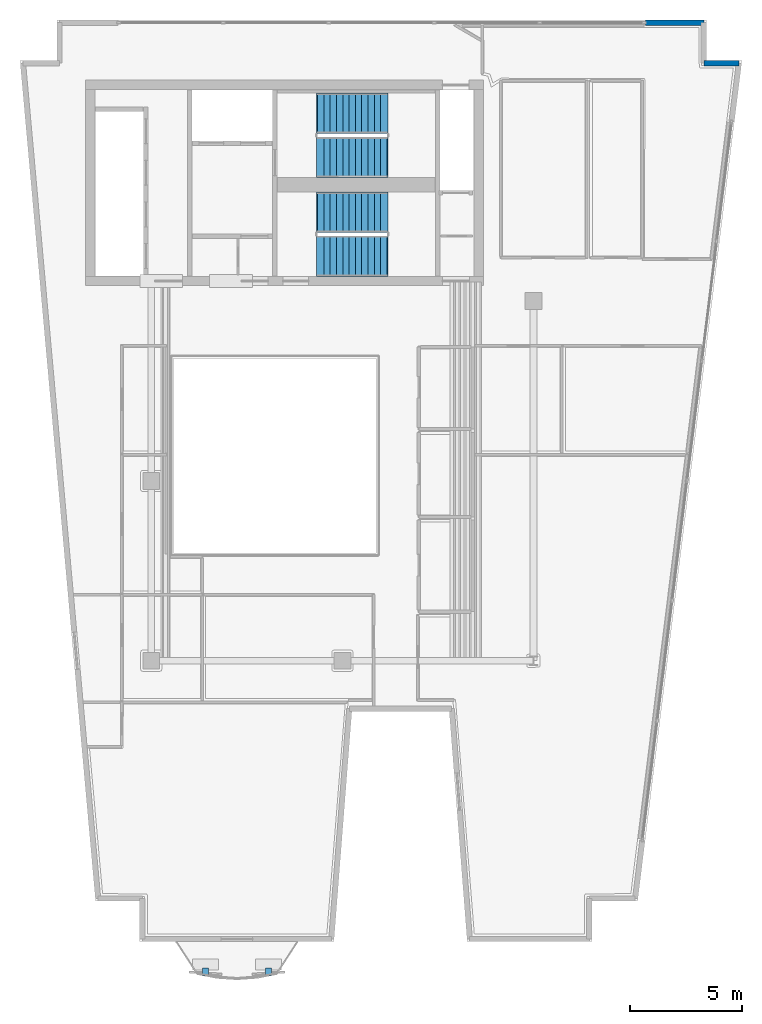
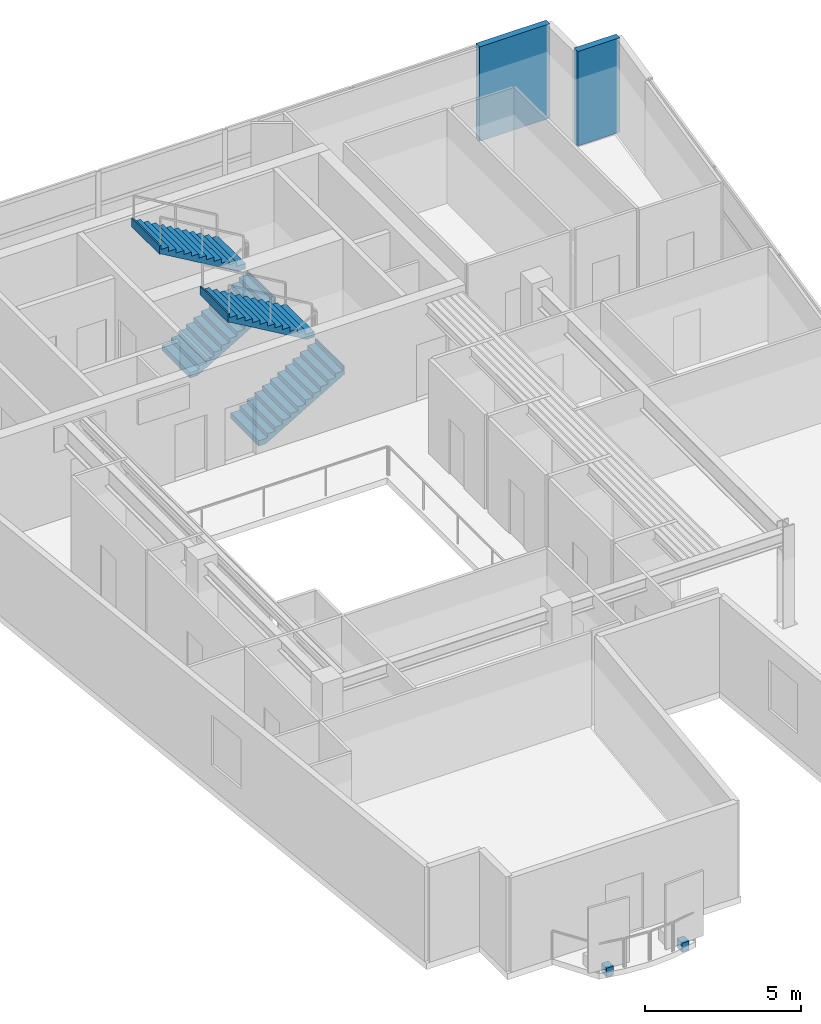
# One storey, part 6 of 8: 4 stair flights, 2 discrete accessories, 2 walls, 2 elements without a shape of their own.
"""IFC4 building model written with IfcOpenShell, lengths in metres."""

import ifcopenshell
import ifcopenshell.guid

model = None  # the IFC model being written
_history = None  # IfcOwnerHistory: only IFC2X3 demands one
_inside = {}  # id of a spatial element -> (the spatial element, [elements in it])
_under = {}  # id of a project, library or spatial element -> (it, [spatial elements below it])
_declared = {}  # id of a project -> (the project, [libraries it declares])
_typed = {}  # id of a type object -> (the type object, [elements of that type])
_made_of = {}  # id of a material, layer set ... -> (it, [elements and type objects made of it])


def new_model(schema):
    """Start an empty IFC model of exactly this schema.

    Asked for "IFC4X3", IfcOpenShell would pick the latest addendum, in which some entities
    have other attributes; the version numbers below select the first issue.
    IFC2X3 requires an IfcOwnerHistory on every rooted entity: one is made here for all.
    """
    global model, _history
    if schema == "IFC4X3":
        model = ifcopenshell.file(schema_version=(4, 3, 0, 0))
    else:
        model = ifcopenshell.file(schema=schema)
    _inside.clear()
    _under.clear()
    _declared.clear()
    _typed.clear()
    _made_of.clear()
    _history = None
    if model.schema == "IFC2X3":
        org = make("IfcOrganization", Name="unknown")
        user = make(
            "IfcPersonAndOrganization",
            ThePerson=make("IfcPerson", FamilyName="unknown"),
            TheOrganization=org,
        )
        app = make(
            "IfcApplication",
            ApplicationDeveloper=org,
            Version="unknown",
            ApplicationFullName="unknown",
            ApplicationIdentifier="unknown",
        )
        _history = make(
            "IfcOwnerHistory",
            OwningUser=user,
            OwningApplication=app,
            ChangeAction="ADDED",
            CreationDate=0,
        )
    return model


def make(cls, **values):
    """One entity of the class cls with the attributes given. An attribute that is None is left unset."""
    return model.create_entity(
        cls, **{name: value for name, value in values.items() if value is not None}
    )


def rooted(cls, **values):
    """An entity with a GlobalId (a new one), such as an element, a storey or a relation."""
    return make(cls, GlobalId=ifcopenshell.guid.new(), OwnerHistory=_history, **values)


def si_unit(unit_type, name, prefix=None):
    """IfcSIUnit, for example si_unit("LENGTHUNIT", "METRE", prefix="MILLI")."""
    return make("IfcSIUnit", UnitType=unit_type, Prefix=prefix, Name=name)


def assignment(units):
    """IfcUnitAssignment: the units of a project."""
    return None if units is None else make("IfcUnitAssignment", Units=units)


def point(xyz):
    """IfcCartesianPoint."""
    return None if xyz is None else make("IfcCartesianPoint", Coordinates=xyz)


def direction(xyz):
    """IfcDirection."""
    return None if xyz is None else make("IfcDirection", DirectionRatios=xyz)


def frame(location, z_axis=None, x_axis=None):
    """IfcAxis2Placement3D, a coordinate frame: its origin and axes. An axis left out is left unset."""
    return make(
        "IfcAxis2Placement3D",
        Location=point(location),
        Axis=direction(z_axis),
        RefDirection=direction(x_axis),
    )


def frame_2d(location, x_axis=None):
    """IfcAxis2Placement2D, a coordinate frame in the plane: its origin and x axis."""
    return make(
        "IfcAxis2Placement2D", Location=point(location), RefDirection=direction(x_axis)
    )


def origin():
    """The frame at (0, 0, 0) with its axes left unset."""
    return frame((0.0, 0.0, 0.0))


def origin_2d():
    """The frame at (0, 0) in the plane with its x axis left unset."""
    return frame_2d((0.0, 0.0))


def place(relative_to, where):
    """IfcLocalPlacement: puts the frame where relative to a parent placement (None: the world)."""
    return make(
        "IfcLocalPlacement", PlacementRelTo=relative_to, RelativePlacement=where
    )


def context(
    kind, dimensions, precision=None, world=None, true_north=None, identifier=None
):
    """IfcGeometricRepresentationContext, for example the 3D "Model" context."""
    return make(
        "IfcGeometricRepresentationContext",
        ContextIdentifier=identifier,
        ContextType=kind,
        CoordinateSpaceDimension=dimensions,
        Precision=precision,
        WorldCoordinateSystem=world,
        TrueNorth=true_north,
    )


def subcontext(parent, identifier, kind, view, scale=None):
    """IfcGeometricRepresentationSubContext, for example "Body" below "Model"."""
    return make(
        "IfcGeometricRepresentationSubContext",
        ContextIdentifier=identifier,
        ContextType=kind,
        ParentContext=parent,
        TargetScale=scale,
        TargetView=view,
    )


def project(units=None, contexts=None):
    """IfcProject with its units and contexts."""
    return rooted(
        "IfcProject",
        Name="project",
        RepresentationContexts=contexts,
        UnitsInContext=assignment(units),
    )


def spatial(cls, under=None, at=None, **own):
    """A site, building, storey or space (cls), placed at a placement, below another one or the project."""
    s = rooted(cls, ObjectPlacement=at, **own)
    if under is not None:
        _under.setdefault(under.id(), (under, []))[1].append(s)
    return s


def polyline(points):
    """IfcPolyline through the points."""
    return make("IfcPolyline", Points=[point(p) for p in points])


def profile(cls, at=None, kind="AREA", **sizes):
    """A parametric profile (cls). Its sizes go by their IFC names, for example OverallWidth=200.0."""
    return make(cls, ProfileType=kind, Position=at, **sizes)


def rectangle(**sizes):
    """IfcRectangleProfileDef."""
    return profile("IfcRectangleProfileDef", **sizes)


def outline(outer, holes=None, kind="AREA"):
    """IfcArbitraryClosedProfileDef: a profile drawn as a closed curve; with holes, ...WithVoids."""
    if holes is None:
        return make("IfcArbitraryClosedProfileDef", ProfileType=kind, OuterCurve=outer)
    return make(
        "IfcArbitraryProfileDefWithVoids",
        ProfileType=kind,
        OuterCurve=outer,
        InnerCurves=holes,
    )


def extrude(swept, where, along, depth):
    """IfcExtrudedAreaSolid: the profile swept, set in the frame where, extruded along a direction by depth."""
    return make(
        "IfcExtrudedAreaSolid",
        SweptArea=swept,
        Position=where,
        ExtrudedDirection=direction(along),
        Depth=depth,
    )


def shape(context_of_items, identifier, shape_type, items):
    """IfcShapeRepresentation: the items that make up one representation, for example the "Body"."""
    return make(
        "IfcShapeRepresentation",
        ContextOfItems=context_of_items,
        RepresentationIdentifier=identifier,
        RepresentationType=shape_type,
        Items=items,
    )


def material(Name=None, Category=None):
    """IfcMaterial."""
    return make("IfcMaterial", Name=Name, Category=Category)


def layer(
    of_material, thickness, ventilated=None, Name=None, Category=None, Priority=None
):
    """IfcMaterialLayer: one layer of a wall or slab, of a material (None: an air gap)."""
    return make(
        "IfcMaterialLayer",
        Material=of_material,
        LayerThickness=thickness,
        IsVentilated=ventilated,
        Name=Name,
        Category=Category,
        Priority=Priority,
    )


def layer_set(layers, Name=None):
    """IfcMaterialLayerSet."""
    return make("IfcMaterialLayerSet", MaterialLayers=layers, LayerSetName=Name)


def made_of(thing, what):
    """Note that an element or type object is made of a material, layer set ...; save() writes the relation."""
    if what is not None:
        _made_of.setdefault(what.id(), (what, []))[1].append(thing)
    return thing


def type_object(cls, material=None, **own):
    """A type object (cls), such as IfcWallType, which elements share."""
    return made_of(rooted(cls, **own), material)


def element(
    cls,
    number,
    at=None,
    inside=None,
    cuts=None,
    type_object=None,
    material=None,
    context=None,
    identifier="Body",
    shape_type=None,
    held_by="IfcProductDefinitionShape",
    body=None,
    shapes=None,
    **own,
):
    """One element of the class cls, such as IfcWall. Its Tag is "e" and its number.

    at: its placement. inside: the storey or other place that contains it. cuts: it is an
    opening in that element (IfcRelVoidsElement). A single representation is given by context,
    identifier, shape_type and body (its items); several are given by shapes. held_by: the class
    of the entity that holds the representations. save() writes the other relations.
    """
    e = rooted(cls, Tag="e%d" % number, ObjectPlacement=at, **own)
    if body is not None:
        shapes = [shape(context, identifier, shape_type, body)]
    if shapes is not None:
        e.Representation = make(held_by, Representations=shapes)
    if inside is not None:
        _inside.setdefault(inside.id(), (inside, []))[1].append(e)
    if cuts is not None:
        rooted(
            "IfcRelVoidsElement", RelatingBuildingElement=cuts, RelatedOpeningElement=e
        )
    if type_object is not None:
        _typed.setdefault(type_object.id(), (type_object, []))[1].append(e)
    return made_of(e, material)


def aggregate(whole, parts):
    """IfcRelAggregates: a whole, such as a stair, and the parts it consists of."""
    return rooted("IfcRelAggregates", RelatingObject=whole, RelatedObjects=parts)


def save(model, path):
    """Write the relations noted so far, then the file.

    IfcRelAggregates (storeys below a building ...), IfcRelContainedInSpatialStructure (elements
    in a storey), IfcRelDefinesByType, IfcRelAssociatesMaterial and IfcRelDeclares: one each for
    every whole, place, type object, material and project.
    """
    for whole, parts in _under.values():
        aggregate(whole, parts)
    for where, things in _inside.values():
        rooted(
            "IfcRelContainedInSpatialStructure",
            RelatedElements=things,
            RelatingStructure=where,
        )
    for kind, things in _typed.values():
        rooted("IfcRelDefinesByType", RelatedObjects=things, RelatingType=kind)
    for what, things in _made_of.values():
        rooted("IfcRelAssociatesMaterial", RelatedObjects=things, RelatingMaterial=what)
    for by, libraries in _declared.values():
        rooted("IfcRelDeclares", RelatingContext=by, RelatedDefinitions=libraries)
    model.write(path)


model = new_model("IFC4")

# Units and contexts
model_context = context("Model", 3, precision=1e-05, world=origin(), true_north=direction((0.0, 1.0)))
body_context = subcontext(model_context, "Body", "Model", "MODEL_VIEW")
ifc_project = project(units=[si_unit("LENGTHUNIT", "METRE"), si_unit("AREAUNIT", "SQUARE_METRE"), si_unit("VOLUMEUNIT", "CUBIC_METRE"), si_unit("PLANEANGLEUNIT", "RADIAN"), si_unit("MASSUNIT", "GRAM", prefix="KILO")], contexts=[model_context])

# Site, building, storey
site_placement = place(None, origin())
site = spatial("IfcSite", under=ifc_project, at=site_placement, CompositionType="ELEMENT")
building_placement = place(site_placement, origin())
building = spatial("IfcBuilding", under=site, at=building_placement, Name="Caeloran Harvest Quay", CompositionType="ELEMENT")
storey_placement = place(building_placement, frame((0.0, 0.0, 268.550048828125)))
storey = spatial("IfcBuildingStorey", under=building, at=storey_placement, Name="L64", CompositionType="ELEMENT", Elevation=268.550048828125)

# Walls
ifc_material_1 = material(Name="Precast concrete C50/60", Category="concrete")
ifc_layer = layer(ifc_material_1, 0.239990234375, Name="Precast concrete C50/60")
ifc_layer_set = layer_set([ifc_layer], Name="Precast concrete C50/60")
wall_type = type_object("IfcWallType", Name="ENV-WALL-EW-240", PredefinedType="STANDARD", material=ifc_layer_set)
wall_1_placement = place(storey_placement, frame((30.47998046875, 43.3798828125, 0.0), z_axis=(0.0, 0.0, 1.0), x_axis=(1.0, 0.0, 0.0)))
element("IfcWall", 1, at=wall_1_placement, inside=storey, type_object=wall_type, Name="L64 Exterior Facade Corner Pier Wall 6B", PredefinedType="STANDARD", context=body_context, shape_type="SweptSolid", body=[
    extrude(rectangle(XDim=2.60009765625, YDim=0.239990234375, at=frame_2d((1.300048828125, 0.0))), origin(), (0.0, 0.0, 1.0), 3.699951171875),
])
wall_2_placement = place(storey_placement, frame((33.080078125, 41.580078125, 0.0), z_axis=(0.0, 0.0, 1.0), x_axis=(1.0, 0.0, 0.0)))
element("IfcWall", 2, at=wall_2_placement, inside=storey, type_object=wall_type, Name="L64 Exterior Precast Concrete Facade Wall 8", PredefinedType="STANDARD", context=body_context, shape_type="SweptSolid", body=[
    extrude(rectangle(XDim=1.560791015625, YDim=0.239990234375, at=frame_2d((0.7802734375, 0.0))), origin(), (0.0, 0.0, 1.0), 3.699951171875),
])

# Stair, stair flights
ifc_material_2 = material(Name="Concrete C50/60", Category="concrete")
stair_type = type_object("IfcStairType", Name="STAIR-STC-180", PredefinedType="HALF_TURN_STAIR", material=ifc_material_2)
stair_1_placement = place(storey_placement, origin())
stair_1 = element("IfcStair", 3, at=stair_1_placement, inside=storey, type_object=stair_type, Name="L64 Core Pressurized Exit Stair ST-C1", PredefinedType="HALF_TURN_STAIR")
stair_flight_type = type_object("IfcStairFlightType", Name="FLIGHT-STC-180", PredefinedType="STRAIGHT", material=ifc_material_2)
stair_flight_1_placement = place(storey_placement, frame((15.89990234375, 37.39990234375, 0.0), z_axis=(0.0, 0.0, 1.0), x_axis=(1.0, 0.0, 0.0)))
stair_flight_1 = element("IfcStairFlight", 4, at=stair_flight_1_placement, type_object=stair_flight_type, Name="ST-C1 flight 1", NumberOfRisers=12, NumberOfTreads=11, PredefinedType="STRAIGHT", RiserHeight=0.164583333, TreadLength=0.28, context=body_context, shape_type="SweptSolid", body=[
    extrude(outline(polyline([(-0.054931640625, -0.044921875), (-0.054931640625, -0.031982421875), (-0.054931640625, -0.018798828125), (-0.054931640625, -0.005615234375), (-0.054931640625, 0.00732421875), (-0.054931640625, 0.0205078125), (-0.054931640625, 0.03369140625), (-0.054931640625, 0.046630859375), (-0.054931640625, 0.059814453125), (-0.054931640625, 0.072998046875), (-0.054931640625, 0.0859375), (-0.054931640625, 0.09912109375), (-0.054931640625, 0.1123046875), (-0.054931640625, 0.125244140625), (-0.054931640625, 0.138427734375), (-0.054931640625, 0.1513671875), (-0.054931640625, 0.16455078125), (0.280029296875, 0.16455078125), (0.280029296875, 0.3291015625), (0.56005859375, 0.3291015625), (0.56005859375, 0.49365234375), (0.840087890625, 0.49365234375), (0.840087890625, 0.658447265625), (1.1201171875, 0.658447265625), (1.1201171875, 0.822998046875), (1.39990234375, 0.822998046875), (1.39990234375, 0.987548828125), (1.679931640625, 0.987548828125), (1.679931640625, 1.152099609375), (1.9599609375, 1.152099609375), (1.9599609375, 1.316650390625), (2.239990234375, 1.316650390625), (2.239990234375, 1.481201171875), (2.52001953125, 1.481201171875), (2.52001953125, 1.645751953125), (2.800048828125, 1.645751953125), (2.800048828125, 1.810302734375), (3.080078125, 1.810302734375), (3.080078125, 1.97509765625), (3.135009765625, 1.97509765625), (3.135009765625, 1.953857421875), (3.135009765625, 1.9326171875), (3.135009765625, 1.91162109375), (3.135009765625, 1.890380859375), (3.135009765625, 1.869140625), (3.135009765625, 1.84814453125), (3.135009765625, 1.826904296875), (3.135009765625, 1.8056640625), (3.135009765625, 1.78466796875), (3.135009765625, 1.763427734375), (3.135009765625, 1.7421875), (3.135009765625, 1.72119140625), (3.135009765625, 1.699951171875), (3.135009765625, 1.678955078125), (3.135009765625, 1.65771484375), (3.135009765625, 1.636474609375), (3.080078125, 1.636474609375), (0.21923828125, -0.044921875), (-0.054931640625, -0.044921875)])), frame((0.0, 0.89990234375, 0.0), z_axis=(0.0, -1.0, 0.0), x_axis=(1.0, 0.0, 0.0)), (0.0, 0.0, 1.0), 1.800048828125),
])
stair_flight_2_placement = place(storey_placement, frame((18.97998046875, 39.35009765625, 1.974853515625), z_axis=(0.0, 0.0, 1.0), x_axis=(-1.0, 0.0, 0.0)))
stair_flight_2 = element("IfcStairFlight", 5, at=stair_flight_2_placement, type_object=stair_flight_type, Name="ST-C1 flight 2", NumberOfRisers=12, NumberOfTreads=11, PredefinedType="STRAIGHT", RiserHeight=0.164583333, TreadLength=0.28, context=body_context, shape_type="SweptSolid", body=[
    extrude(outline(polyline([(-0.054931640625, -0.044921875), (-0.054931640625, -0.031982421875), (-0.054931640625, -0.018798828125), (-0.054931640625, -0.005615234375), (-0.054931640625, 0.00732421875), (-0.054931640625, 0.0205078125), (-0.054931640625, 0.03369140625), (-0.054931640625, 0.046630859375), (-0.054931640625, 0.059814453125), (-0.054931640625, 0.072998046875), (-0.054931640625, 0.0859375), (-0.054931640625, 0.09912109375), (-0.054931640625, 0.1123046875), (-0.054931640625, 0.125244140625), (-0.054931640625, 0.138427734375), (-0.054931640625, 0.1513671875), (-0.054931640625, 0.16455078125), (0.280029296875, 0.16455078125), (0.280029296875, 0.3291015625), (0.56005859375, 0.3291015625), (0.56005859375, 0.49365234375), (0.840087890625, 0.49365234375), (0.840087890625, 0.658447265625), (1.1201171875, 0.658447265625), (1.1201171875, 0.822998046875), (1.39990234375, 0.822998046875), (1.39990234375, 0.987548828125), (1.679931640625, 0.987548828125), (1.679931640625, 1.152099609375), (1.9599609375, 1.152099609375), (1.9599609375, 1.316650390625), (2.239990234375, 1.316650390625), (2.239990234375, 1.481201171875), (2.52001953125, 1.481201171875), (2.52001953125, 1.645751953125), (2.800048828125, 1.645751953125), (2.800048828125, 1.810302734375), (3.080078125, 1.810302734375), (3.080078125, 1.97509765625), (3.135009765625, 1.97509765625), (3.135009765625, 1.953857421875), (3.135009765625, 1.9326171875), (3.135009765625, 1.91162109375), (3.135009765625, 1.890380859375), (3.135009765625, 1.869140625), (3.135009765625, 1.84814453125), (3.135009765625, 1.826904296875), (3.135009765625, 1.8056640625), (3.135009765625, 1.78466796875), (3.135009765625, 1.763427734375), (3.135009765625, 1.7421875), (3.135009765625, 1.72119140625), (3.135009765625, 1.699951171875), (3.135009765625, 1.678955078125), (3.135009765625, 1.65771484375), (3.135009765625, 1.636474609375), (3.080078125, 1.636474609375), (0.21923828125, -0.044921875), (-0.054931640625, -0.044921875)])), frame((0.0, 0.89990234375, 0.0), z_axis=(0.0, -1.0, 0.0), x_axis=(1.0, 0.0, 0.0)), (0.0, 0.0, 1.0), 1.800048828125),
])
aggregate(stair_1, [stair_flight_1, stair_flight_2])

stair_2_placement = place(storey_placement, origin())
stair_2 = element("IfcStair", 6, at=stair_2_placement, inside=storey, type_object=stair_type, Name="L64 Core Pressurized Exit Stair ST-C2", PredefinedType="HALF_TURN_STAIR")
stair_flight_3_placement = place(storey_placement, frame((15.89990234375, 33.0, 0.0), z_axis=(0.0, 0.0, 1.0), x_axis=(1.0, 0.0, 0.0)))
stair_flight_3 = element("IfcStairFlight", 7, at=stair_flight_3_placement, type_object=stair_flight_type, Name="ST-C2 flight 1", NumberOfRisers=12, NumberOfTreads=11, PredefinedType="STRAIGHT", RiserHeight=0.164583333, TreadLength=0.28, context=body_context, shape_type="SweptSolid", body=[
    extrude(outline(polyline([(-0.054931640625, -0.044921875), (-0.054931640625, -0.031982421875), (-0.054931640625, -0.018798828125), (-0.054931640625, -0.005615234375), (-0.054931640625, 0.00732421875), (-0.054931640625, 0.0205078125), (-0.054931640625, 0.03369140625), (-0.054931640625, 0.046630859375), (-0.054931640625, 0.059814453125), (-0.054931640625, 0.072998046875), (-0.054931640625, 0.0859375), (-0.054931640625, 0.09912109375), (-0.054931640625, 0.1123046875), (-0.054931640625, 0.125244140625), (-0.054931640625, 0.138427734375), (-0.054931640625, 0.1513671875), (-0.054931640625, 0.16455078125), (0.280029296875, 0.16455078125), (0.280029296875, 0.3291015625), (0.56005859375, 0.3291015625), (0.56005859375, 0.49365234375), (0.840087890625, 0.49365234375), (0.840087890625, 0.658447265625), (1.1201171875, 0.658447265625), (1.1201171875, 0.822998046875), (1.39990234375, 0.822998046875), (1.39990234375, 0.987548828125), (1.679931640625, 0.987548828125), (1.679931640625, 1.152099609375), (1.9599609375, 1.152099609375), (1.9599609375, 1.316650390625), (2.239990234375, 1.316650390625), (2.239990234375, 1.481201171875), (2.52001953125, 1.481201171875), (2.52001953125, 1.645751953125), (2.800048828125, 1.645751953125), (2.800048828125, 1.810302734375), (3.080078125, 1.810302734375), (3.080078125, 1.97509765625), (3.135009765625, 1.97509765625), (3.135009765625, 1.953857421875), (3.135009765625, 1.9326171875), (3.135009765625, 1.91162109375), (3.135009765625, 1.890380859375), (3.135009765625, 1.869140625), (3.135009765625, 1.84814453125), (3.135009765625, 1.826904296875), (3.135009765625, 1.8056640625), (3.135009765625, 1.78466796875), (3.135009765625, 1.763427734375), (3.135009765625, 1.7421875), (3.135009765625, 1.72119140625), (3.135009765625, 1.699951171875), (3.135009765625, 1.678955078125), (3.135009765625, 1.65771484375), (3.135009765625, 1.636474609375), (3.080078125, 1.636474609375), (0.21923828125, -0.044921875), (-0.054931640625, -0.044921875)])), frame((0.0, 0.89990234375, 0.0), z_axis=(0.0, -1.0, 0.0), x_axis=(1.0, 0.0, 0.0)), (0.0, 0.0, 1.0), 1.800048828125),
])
stair_flight_4_placement = place(storey_placement, frame((18.97998046875, 34.949951171875, 1.974853515625), z_axis=(0.0, 0.0, 1.0), x_axis=(-1.0, 0.0, 0.0)))
stair_flight_4 = element("IfcStairFlight", 8, at=stair_flight_4_placement, type_object=stair_flight_type, Name="ST-C2 flight 2", NumberOfRisers=12, NumberOfTreads=11, PredefinedType="STRAIGHT", RiserHeight=0.164583333, TreadLength=0.28, context=body_context, shape_type="SweptSolid", body=[
    extrude(outline(polyline([(-0.054931640625, -0.044921875), (-0.054931640625, -0.031982421875), (-0.054931640625, -0.018798828125), (-0.054931640625, -0.005615234375), (-0.054931640625, 0.00732421875), (-0.054931640625, 0.0205078125), (-0.054931640625, 0.03369140625), (-0.054931640625, 0.046630859375), (-0.054931640625, 0.059814453125), (-0.054931640625, 0.072998046875), (-0.054931640625, 0.0859375), (-0.054931640625, 0.09912109375), (-0.054931640625, 0.1123046875), (-0.054931640625, 0.125244140625), (-0.054931640625, 0.138427734375), (-0.054931640625, 0.1513671875), (-0.054931640625, 0.16455078125), (0.280029296875, 0.16455078125), (0.280029296875, 0.3291015625), (0.56005859375, 0.3291015625), (0.56005859375, 0.49365234375), (0.840087890625, 0.49365234375), (0.840087890625, 0.658447265625), (1.1201171875, 0.658447265625), (1.1201171875, 0.822998046875), (1.39990234375, 0.822998046875), (1.39990234375, 0.987548828125), (1.679931640625, 0.987548828125), (1.679931640625, 1.152099609375), (1.9599609375, 1.152099609375), (1.9599609375, 1.316650390625), (2.239990234375, 1.316650390625), (2.239990234375, 1.481201171875), (2.52001953125, 1.481201171875), (2.52001953125, 1.645751953125), (2.800048828125, 1.645751953125), (2.800048828125, 1.810302734375), (3.080078125, 1.810302734375), (3.080078125, 1.97509765625), (3.135009765625, 1.97509765625), (3.135009765625, 1.953857421875), (3.135009765625, 1.9326171875), (3.135009765625, 1.91162109375), (3.135009765625, 1.890380859375), (3.135009765625, 1.869140625), (3.135009765625, 1.84814453125), (3.135009765625, 1.826904296875), (3.135009765625, 1.8056640625), (3.135009765625, 1.78466796875), (3.135009765625, 1.763427734375), (3.135009765625, 1.7421875), (3.135009765625, 1.72119140625), (3.135009765625, 1.699951171875), (3.135009765625, 1.678955078125), (3.135009765625, 1.65771484375), (3.135009765625, 1.636474609375), (3.080078125, 1.636474609375), (0.21923828125, -0.044921875), (-0.054931640625, -0.044921875)])), frame((0.0, 0.89990234375, 0.0), z_axis=(0.0, -1.0, 0.0), x_axis=(1.0, 0.0, 0.0)), (0.0, 0.0, 1.0), 1.800048828125),
])
aggregate(stair_2, [stair_flight_3, stair_flight_4])

# Discrete accessories
ifc_material_3 = material(Name="Stainless Steel Grade 316L", Category="steel")
discrete_accessory_type = type_object("IfcDiscreteAccessoryType", Name="BRACKET-SCREEN-SS", PredefinedType="BRACKET", material=ifc_material_3)
for number, where, z_axis, x_axis, name in (
    (9, (13.708740234375, 1.161376953125, -0.22021484375), (0.0, 0.0, 1.0), (1.0, 0.0, 0.0), "L64 Balcony Screen Support Bracket 1"),
    (10, (10.91015625, 1.161376953125, -0.22021484375), (0.0, 0.0, 1.0), (1.0, 0.0, 0.0), "L64 Balcony Screen Support Bracket 2"),
):
    element("IfcDiscreteAccessory", number, at=place(storey_placement, frame(where, z_axis=z_axis, x_axis=x_axis)), inside=storey, type_object=discrete_accessory_type, Name=name, PredefinedType="BRACKET", context=body_context, shape_type="SweptSolid", body=[
        extrude(rectangle(XDim=0.260009765625, YDim=0.340087890625, at=origin_2d()), origin(), (0.0, 0.0, 1.0), 0.360107421875),
    ])

save(model, "model.ifc")
